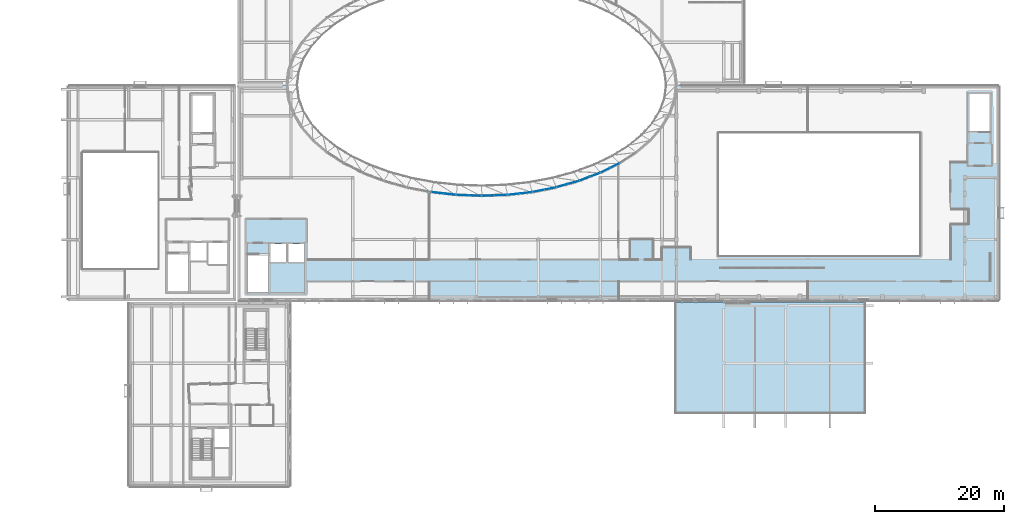
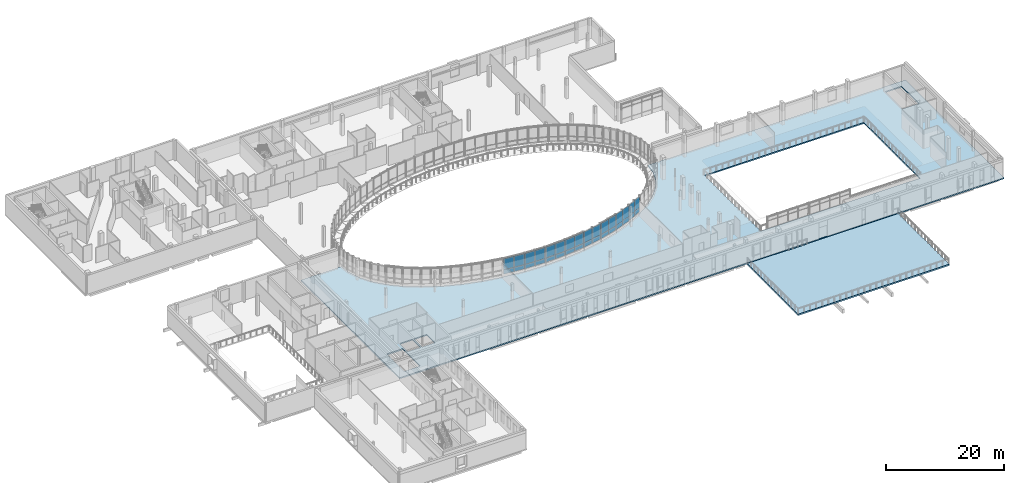
# One storey, part 30 of 73: 32 plates, 2 slabs, 8 elements without a shape of their own.
"""IFC4 building model written with IfcOpenShell, lengths in metres."""

from ifc_helpers import new_model, si_unit, direction, frame, origin, origin_2d, place, context, subcontext, project, spatial, polyline, rectangle, outline, extrude, material, layer, layer_set, type_object, element, aggregate, save


model = new_model("IFC4")

# Units and contexts
model_context = context("Model", 3, precision=1e-05, world=origin(), true_north=direction((0.0, 1.0)))
body_context = subcontext(model_context, "Body", "Model", "MODEL_VIEW")
ifc_project = project(units=[si_unit("LENGTHUNIT", "METRE"), si_unit("AREAUNIT", "SQUARE_METRE"), si_unit("VOLUMEUNIT", "CUBIC_METRE"), si_unit("PLANEANGLEUNIT", "RADIAN"), si_unit("MASSUNIT", "GRAM", prefix="KILO")], contexts=[model_context])

# Site, building, storey
site_placement = place(None, origin())
site = spatial("IfcSite", under=ifc_project, at=site_placement, CompositionType="ELEMENT")
building_placement = place(site_placement, origin())
building = spatial("IfcBuilding", under=site, at=building_placement, Name="Mzevani Central Library", CompositionType="ELEMENT")
storey_placement = place(building_placement, frame((0.0, 0.0, 9.60009765625)))
storey = spatial("IfcBuildingStorey", under=building, at=storey_placement, Name="L02", CompositionType="ELEMENT", Elevation=9.60009765625)

# Curtain wall, plates
ifc_material_1 = material(Name="Thermally broken aluminium and Low-E triple glazing", Category="aluminium")
curtain_wall_type_1 = type_object("IfcCurtainWallType", Name="Elliptical Court Unitised Curtain Wall", PredefinedType="NOTDEFINED", material=ifc_material_1)
curtain_wall_1_placement = place(storey_placement, origin())
curtain_wall_1 = element("IfcCurtainWall", 1, at=curtain_wall_1_placement, inside=storey, type_object=curtain_wall_type_1, Name="L02 Elliptical Court Curtain Wall 35", PredefinedType="NOTDEFINED")
ifc_material_2 = material(Name="Thermally broken aluminium AW-6060", Category="aluminium")
ifc_layer_1 = layer(ifc_material_2, 0.0419921875, Name="CW Insulated Spandrel Panel 42")
ifc_layer_set_1 = layer_set([ifc_layer_1], Name="Thermally broken aluminium AW-6060")
plate_type_1 = type_object("IfcPlateType", Name="CW Insulated Spandrel Panel 42", PredefinedType="CURTAIN_PANEL", material=ifc_layer_set_1)
plate_1_placement = place(storey_placement, frame((77.124755859375, 59.251220703125, 0.719970703125), z_axis=(0.0, 0.0, 1.0), x_axis=(0.993696511115, -0.112103718933, 0.0)))
plate_1 = element("IfcPlate", 2, at=plate_1_placement, type_object=plate_type_1, Name="L02 Elliptical Court Curtain Wall 35 Spandrel Panel 1", PredefinedType="CURTAIN_PANEL", context=body_context, shape_type="SweptSolid", body=[
    extrude(rectangle(XDim=1.9365234375, YDim=0.0419921875, at=origin_2d()), origin(), (0.0, 0.0, 1.0), 0.89990234375),
])
plate_2_placement = place(storey_placement, frame((79.04931640625, 59.0341796875, 0.719970703125), z_axis=(0.0, 0.0, 1.0), x_axis=(0.993696511115, -0.112103718933, 0.0)))
plate_2 = element("IfcPlate", 3, at=plate_2_placement, type_object=plate_type_1, Name="L02 Elliptical Court Curtain Wall 35 Spandrel Panel 3", PredefinedType="CURTAIN_PANEL", context=body_context, shape_type="SweptSolid", body=[
    extrude(rectangle(XDim=1.9365234375, YDim=0.0419921875, at=origin_2d()), origin(), (0.0, 0.0, 1.0), 0.89990234375),
])

curtain_wall_2_placement = place(storey_placement, origin())
curtain_wall_2 = element("IfcCurtainWall", 4, at=curtain_wall_2_placement, inside=storey, type_object=curtain_wall_type_1, Name="L02 Elliptical Court Curtain Wall 36", PredefinedType="NOTDEFINED")
plate_3_placement = place(storey_placement, frame((81.037841796875, 58.87841796875, 0.719970703125), z_axis=(0.0, 0.0, 1.0), x_axis=(0.999309394498, -0.037158230165, 0.0)))
plate_3 = element("IfcPlate", 5, at=plate_3_placement, type_object=plate_type_1, Name="L02 Elliptical Court Curtain Wall 36 Spandrel Panel 1", PredefinedType="CURTAIN_PANEL", context=body_context, shape_type="SweptSolid", body=[
    extrude(rectangle(XDim=1.959228515625, YDim=0.0419921875, at=origin_2d()), origin(), (0.0, 0.0, 1.0), 0.89990234375),
])
plate_4_placement = place(storey_placement, frame((82.995849609375, 58.805419921875, 0.719970703125), z_axis=(0.0, 0.0, 1.0), x_axis=(0.999309394498, -0.037158230165, 0.0)))
plate_4 = element("IfcPlate", 6, at=plate_4_placement, type_object=plate_type_1, Name="L02 Elliptical Court Curtain Wall 36 Spandrel Panel 3", PredefinedType="CURTAIN_PANEL", context=body_context, shape_type="SweptSolid", body=[
    extrude(rectangle(XDim=1.959228515625, YDim=0.0419921875, at=origin_2d()), origin(), (0.0, 0.0, 1.0), 0.89990234375),
])

curtain_wall_type_2 = type_object("IfcCurtainWallType", Name="Reading Hall Northlight Curtain Wall", PredefinedType="NOTDEFINED", material=ifc_material_1)
curtain_wall_3_placement = place(storey_placement, origin())
curtain_wall_3 = element("IfcCurtainWall", 7, at=curtain_wall_3_placement, inside=storey, type_object=curtain_wall_type_2, Name="L02 Elliptical Court Curtain Wall 37", PredefinedType="NOTDEFINED")
plate_5_placement = place(storey_placement, frame((85.004150390625, 58.805419921875, 0.719970703125), z_axis=(0.0, 0.0, 1.0), x_axis=(0.999309394498, 0.037158230165, 0.0)))
plate_5 = element("IfcPlate", 8, at=plate_5_placement, type_object=plate_type_1, Name="L02 Elliptical Court Curtain Wall 37 Spandrel Panel 1", PredefinedType="CURTAIN_PANEL", context=body_context, shape_type="SweptSolid", body=[
    extrude(rectangle(XDim=1.959228515625, YDim=0.0419921875, at=origin_2d()), origin(), (0.0, 0.0, 1.0), 0.89990234375),
])
plate_6_placement = place(storey_placement, frame((86.962158203125, 58.87841796875, 0.719970703125), z_axis=(0.0, 0.0, 1.0), x_axis=(0.999309394498, 0.037158230165, 0.0)))
plate_6 = element("IfcPlate", 9, at=plate_6_placement, type_object=plate_type_1, Name="L02 Elliptical Court Curtain Wall 37 Spandrel Panel 3", PredefinedType="CURTAIN_PANEL", context=body_context, shape_type="SweptSolid", body=[
    extrude(rectangle(XDim=1.959228515625, YDim=0.0419921875, at=origin_2d()), origin(), (0.0, 0.0, 1.0), 0.89990234375),
])

curtain_wall_4_placement = place(storey_placement, origin())
curtain_wall_4 = element("IfcCurtainWall", 10, at=curtain_wall_4_placement, inside=storey, type_object=curtain_wall_type_1, Name="L02 Elliptical Court Curtain Wall 38", PredefinedType="NOTDEFINED")
plate_7_placement = place(storey_placement, frame((88.95068359375, 59.0341796875, 0.719970703125), z_axis=(0.0, 0.0, 1.0), x_axis=(0.993696511115, 0.112103718933, 0.0)))
plate_7 = element("IfcPlate", 11, at=plate_7_placement, type_object=plate_type_1, Name="L02 Elliptical Court Curtain Wall 38 Spandrel Panel 1", PredefinedType="CURTAIN_PANEL", context=body_context, shape_type="SweptSolid", body=[
    extrude(rectangle(XDim=1.9365234375, YDim=0.0419921875, at=origin_2d()), origin(), (0.0, 0.0, 1.0), 0.89990234375),
])
plate_8_placement = place(storey_placement, frame((90.875244140625, 59.251220703125, 0.719970703125), z_axis=(0.0, 0.0, 1.0), x_axis=(0.993696511115, 0.112103718933, 0.0)))
plate_8 = element("IfcPlate", 12, at=plate_8_placement, type_object=plate_type_1, Name="L02 Elliptical Court Curtain Wall 38 Spandrel Panel 3", PredefinedType="CURTAIN_PANEL", context=body_context, shape_type="SweptSolid", body=[
    extrude(rectangle(XDim=1.9365234375, YDim=0.0419921875, at=origin_2d()), origin(), (0.0, 0.0, 1.0), 0.89990234375),
])

curtain_wall_5_placement = place(storey_placement, origin())
curtain_wall_5 = element("IfcCurtainWall", 13, at=curtain_wall_5_placement, inside=storey, type_object=curtain_wall_type_1, Name="L02 Elliptical Court Curtain Wall 39", PredefinedType="NOTDEFINED")
plate_9_placement = place(storey_placement, frame((92.806640625, 59.557373046875, 0.719970703125), z_axis=(0.0, 0.0, 1.0), x_axis=(0.981971911656, 0.189026888879, 0.0)))
plate_9 = element("IfcPlate", 14, at=plate_9_placement, type_object=plate_type_1, Name="L02 Elliptical Court Curtain Wall 39 Spandrel Panel 1", PredefinedType="CURTAIN_PANEL", context=body_context, shape_type="SweptSolid", body=[
    extrude(rectangle(XDim=1.89208984375, YDim=0.0419921875, at=origin_2d()), origin(), (0.0, 0.0, 1.0), 0.89990234375),
])
plate_10_placement = place(storey_placement, frame((94.66455078125, 59.9150390625, 0.719970703125), z_axis=(0.0, 0.0, 1.0), x_axis=(0.981971911656, 0.189026888879, 0.0)))
plate_10 = element("IfcPlate", 15, at=plate_10_placement, type_object=plate_type_1, Name="L02 Elliptical Court Curtain Wall 39 Spandrel Panel 3", PredefinedType="CURTAIN_PANEL", context=body_context, shape_type="SweptSolid", body=[
    extrude(rectangle(XDim=1.89208984375, YDim=0.0419921875, at=origin_2d()), origin(), (0.0, 0.0, 1.0), 0.89990234375),
])

curtain_wall_6_placement = place(storey_placement, origin())
curtain_wall_6 = element("IfcCurtainWall", 16, at=curtain_wall_6_placement, inside=storey, type_object=curtain_wall_type_2, Name="L02 Elliptical Court Curtain Wall 40", PredefinedType="NOTDEFINED")
plate_11_placement = place(storey_placement, frame((96.5048828125, 60.36279296875, 0.719970703125), z_axis=(0.0, 0.0, 1.0), x_axis=(0.9630535978, 0.269309798865, 0.0)))
plate_11 = element("IfcPlate", 17, at=plate_11_placement, type_object=plate_type_1, Name="L02 Elliptical Court Curtain Wall 40 Spandrel Panel 1", PredefinedType="CURTAIN_PANEL", context=body_context, shape_type="SweptSolid", body=[
    extrude(rectangle(XDim=1.827392578125, YDim=0.0419921875, at=origin_2d()), origin(), (0.0, 0.0, 1.0), 0.89990234375),
])
plate_12_placement = place(storey_placement, frame((98.264404296875, 60.854736328125, 0.719970703125), z_axis=(0.0, 0.0, 1.0), x_axis=(0.9630535978, 0.269309798865, 0.0)))
plate_12 = element("IfcPlate", 18, at=plate_12_placement, type_object=plate_type_1, Name="L02 Elliptical Court Curtain Wall 40 Spandrel Panel 3", PredefinedType="CURTAIN_PANEL", context=body_context, shape_type="SweptSolid", body=[
    extrude(rectangle(XDim=1.827392578125, YDim=0.0419921875, at=origin_2d()), origin(), (0.0, 0.0, 1.0), 0.89990234375),
])

curtain_wall_7_placement = place(storey_placement, origin())
curtain_wall_7 = element("IfcCurtainWall", 19, at=curtain_wall_7_placement, inside=storey, type_object=curtain_wall_type_1, Name="L02 Elliptical Court Curtain Wall 41", PredefinedType="NOTDEFINED")
plate_13_placement = place(storey_placement, frame((99.9833984375, 61.43359375, 0.719970703125), z_axis=(0.0, 0.0, 1.0), x_axis=(0.935125934048, 0.354315519659, 0.0)))
plate_13 = element("IfcPlate", 20, at=plate_13_placement, type_object=plate_type_1, Name="L02 Elliptical Court Curtain Wall 41 Spandrel Panel 1", PredefinedType="CURTAIN_PANEL", context=body_context, shape_type="SweptSolid", body=[
    extrude(rectangle(XDim=1.74462890625, YDim=0.0419921875, at=origin_2d()), origin(), (0.0, 0.0, 1.0), 0.89990234375),
])
plate_14_placement = place(storey_placement, frame((101.614990234375, 62.0517578125, 0.719970703125), z_axis=(0.0, 0.0, 1.0), x_axis=(0.935125934048, 0.354315519659, 0.0)))
plate_14 = element("IfcPlate", 21, at=plate_14_placement, type_object=plate_type_1, Name="L02 Elliptical Court Curtain Wall 41 Spandrel Panel 3", PredefinedType="CURTAIN_PANEL", context=body_context, shape_type="SweptSolid", body=[
    extrude(rectangle(XDim=1.74462890625, YDim=0.0419921875, at=origin_2d()), origin(), (0.0, 0.0, 1.0), 0.89990234375),
])

curtain_wall_8_placement = place(storey_placement, origin())
curtain_wall_8 = element("IfcCurtainWall", 22, at=curtain_wall_8_placement, inside=storey, type_object=curtain_wall_type_1, Name="L02 Elliptical Court Curtain Wall 42", PredefinedType="NOTDEFINED")
plate_15_placement = place(storey_placement, frame((103.18505859375, 62.75048828125, 0.719970703125), z_axis=(0.0, 0.0, 1.0), x_axis=(0.89539024804, 0.445282274198, 0.0)))
plate_15 = element("IfcPlate", 23, at=plate_15_placement, type_object=plate_type_1, Name="L02 Elliptical Court Curtain Wall 42 Spandrel Panel 1", PredefinedType="CURTAIN_PANEL", context=body_context, shape_type="SweptSolid", body=[
    extrude(rectangle(XDim=1.6474609375, YDim=0.0419921875, at=origin_2d()), origin(), (0.0, 0.0, 1.0), 0.89990234375),
])
plate_16_placement = place(storey_placement, frame((104.660400390625, 63.484130859375, 0.719970703125), z_axis=(0.0, 0.0, 1.0), x_axis=(0.89539024804, 0.445282274198, 0.0)))
plate_16 = element("IfcPlate", 24, at=plate_16_placement, type_object=plate_type_1, Name="L02 Elliptical Court Curtain Wall 42 Spandrel Panel 3", PredefinedType="CURTAIN_PANEL", context=body_context, shape_type="SweptSolid", body=[
    extrude(rectangle(XDim=1.6474609375, YDim=0.0419921875, at=origin_2d()), origin(), (0.0, 0.0, 1.0), 0.89990234375),
])

# Plate
ifc_material_3 = material(Name="Low-E triple glazing glass", Category="glass")
ifc_layer_2 = layer(ifc_material_3, 0.028076171875, Name="CW Triple Glazed Vision Panel 28")
ifc_layer_set_2 = layer_set([ifc_layer_2], Name="Low-E triple glazing glass")
plate_type_2 = type_object("IfcPlateType", Name="CW Triple Glazed Vision Panel 28", PredefinedType="CURTAIN_PANEL", material=ifc_layer_set_2)
plate_17_placement = place(storey_placement, frame((77.124755859375, 59.251220703125, 1.6201171875), z_axis=(0.0, 0.0, 1.0), x_axis=(0.993696511115, -0.112103718933, 0.0)))
plate_17 = element("IfcPlate", 25, at=plate_17_placement, type_object=plate_type_2, Name="L02 Elliptical Court Curtain Wall 35 Vision Panel 2", PredefinedType="CURTAIN_PANEL", context=body_context, shape_type="SweptSolid", body=[
    extrude(rectangle(XDim=1.9365234375, YDim=0.028076171875, at=origin_2d()), origin(), (0.0, 0.0, 1.0), 2.300048828125),
])

plate_18_placement = place(storey_placement, frame((79.04931640625, 59.0341796875, 1.6201171875), z_axis=(0.0, 0.0, 1.0), x_axis=(0.993696511115, -0.112103718933, 0.0)))
plate_18 = element("IfcPlate", 26, at=plate_18_placement, type_object=plate_type_2, Name="L02 Elliptical Court Curtain Wall 35 Vision Panel 4", PredefinedType="CURTAIN_PANEL", context=body_context, shape_type="SweptSolid", body=[
    extrude(rectangle(XDim=1.9365234375, YDim=0.028076171875, at=origin_2d()), origin(), (0.0, 0.0, 1.0), 2.300048828125),
])

aggregate(curtain_wall_1, [plate_1, plate_17, plate_2, plate_18])

plate_19_placement = place(storey_placement, frame((81.037841796875, 58.87841796875, 1.6201171875), z_axis=(0.0, 0.0, 1.0), x_axis=(0.999309394498, -0.037158230165, 0.0)))
plate_19 = element("IfcPlate", 27, at=plate_19_placement, type_object=plate_type_2, Name="L02 Elliptical Court Curtain Wall 36 Vision Panel 2", PredefinedType="CURTAIN_PANEL", context=body_context, shape_type="SweptSolid", body=[
    extrude(rectangle(XDim=1.959228515625, YDim=0.028076171875, at=origin_2d()), origin(), (0.0, 0.0, 1.0), 2.300048828125),
])

plate_20_placement = place(storey_placement, frame((82.995849609375, 58.805419921875, 1.6201171875), z_axis=(0.0, 0.0, 1.0), x_axis=(0.999309394498, -0.037158230165, 0.0)))
plate_20 = element("IfcPlate", 28, at=plate_20_placement, type_object=plate_type_2, Name="L02 Elliptical Court Curtain Wall 36 Vision Panel 4", PredefinedType="CURTAIN_PANEL", context=body_context, shape_type="SweptSolid", body=[
    extrude(rectangle(XDim=1.959228515625, YDim=0.028076171875, at=origin_2d()), origin(), (0.0, 0.0, 1.0), 2.300048828125),
])

aggregate(curtain_wall_2, [plate_3, plate_19, plate_4, plate_20])

plate_21_placement = place(storey_placement, frame((85.004150390625, 58.805419921875, 1.6201171875), z_axis=(0.0, 0.0, 1.0), x_axis=(0.999309394498, 0.037158230165, 0.0)))
plate_21 = element("IfcPlate", 29, at=plate_21_placement, type_object=plate_type_2, Name="L02 Elliptical Court Curtain Wall 37 Vision Panel 2", PredefinedType="CURTAIN_PANEL", context=body_context, shape_type="SweptSolid", body=[
    extrude(rectangle(XDim=1.959228515625, YDim=0.028076171875, at=origin_2d()), origin(), (0.0, 0.0, 1.0), 2.300048828125),
])

plate_22_placement = place(storey_placement, frame((86.962158203125, 58.87841796875, 1.6201171875), z_axis=(0.0, 0.0, 1.0), x_axis=(0.999309394498, 0.037158230165, 0.0)))
plate_22 = element("IfcPlate", 30, at=plate_22_placement, type_object=plate_type_2, Name="L02 Elliptical Court Curtain Wall 37 Vision Panel 4", PredefinedType="CURTAIN_PANEL", context=body_context, shape_type="SweptSolid", body=[
    extrude(rectangle(XDim=1.959228515625, YDim=0.028076171875, at=origin_2d()), origin(), (0.0, 0.0, 1.0), 2.300048828125),
])

aggregate(curtain_wall_3, [plate_5, plate_21, plate_6, plate_22])

plate_23_placement = place(storey_placement, frame((88.95068359375, 59.0341796875, 1.6201171875), z_axis=(0.0, 0.0, 1.0), x_axis=(0.993696511115, 0.112103718933, 0.0)))
plate_23 = element("IfcPlate", 31, at=plate_23_placement, type_object=plate_type_2, Name="L02 Elliptical Court Curtain Wall 38 Vision Panel 2", PredefinedType="CURTAIN_PANEL", context=body_context, shape_type="SweptSolid", body=[
    extrude(rectangle(XDim=1.9365234375, YDim=0.028076171875, at=origin_2d()), origin(), (0.0, 0.0, 1.0), 2.300048828125),
])

plate_24_placement = place(storey_placement, frame((90.875244140625, 59.251220703125, 1.6201171875), z_axis=(0.0, 0.0, 1.0), x_axis=(0.993696511115, 0.112103718933, 0.0)))
plate_24 = element("IfcPlate", 32, at=plate_24_placement, type_object=plate_type_2, Name="L02 Elliptical Court Curtain Wall 38 Vision Panel 4", PredefinedType="CURTAIN_PANEL", context=body_context, shape_type="SweptSolid", body=[
    extrude(rectangle(XDim=1.9365234375, YDim=0.028076171875, at=origin_2d()), origin(), (0.0, 0.0, 1.0), 2.300048828125),
])

aggregate(curtain_wall_4, [plate_7, plate_23, plate_8, plate_24])

plate_25_placement = place(storey_placement, frame((92.806640625, 59.557373046875, 1.6201171875), z_axis=(0.0, 0.0, 1.0), x_axis=(0.981971911656, 0.189026888879, 0.0)))
plate_25 = element("IfcPlate", 33, at=plate_25_placement, type_object=plate_type_2, Name="L02 Elliptical Court Curtain Wall 39 Vision Panel 2", PredefinedType="CURTAIN_PANEL", context=body_context, shape_type="SweptSolid", body=[
    extrude(rectangle(XDim=1.89208984375, YDim=0.028076171875, at=origin_2d()), origin(), (0.0, 0.0, 1.0), 2.300048828125),
])

plate_26_placement = place(storey_placement, frame((94.66455078125, 59.9150390625, 1.6201171875), z_axis=(0.0, 0.0, 1.0), x_axis=(0.981971911656, 0.189026888879, 0.0)))
plate_26 = element("IfcPlate", 34, at=plate_26_placement, type_object=plate_type_2, Name="L02 Elliptical Court Curtain Wall 39 Vision Panel 4", PredefinedType="CURTAIN_PANEL", context=body_context, shape_type="SweptSolid", body=[
    extrude(rectangle(XDim=1.89208984375, YDim=0.028076171875, at=origin_2d()), origin(), (0.0, 0.0, 1.0), 2.300048828125),
])

aggregate(curtain_wall_5, [plate_9, plate_25, plate_10, plate_26])

plate_27_placement = place(storey_placement, frame((96.5048828125, 60.36279296875, 1.6201171875), z_axis=(0.0, 0.0, 1.0), x_axis=(0.9630535978, 0.269309798865, 0.0)))
plate_27 = element("IfcPlate", 35, at=plate_27_placement, type_object=plate_type_2, Name="L02 Elliptical Court Curtain Wall 40 Vision Panel 2", PredefinedType="CURTAIN_PANEL", context=body_context, shape_type="SweptSolid", body=[
    extrude(rectangle(XDim=1.827392578125, YDim=0.028076171875, at=origin_2d()), origin(), (0.0, 0.0, 1.0), 2.300048828125),
])

plate_28_placement = place(storey_placement, frame((98.264404296875, 60.854736328125, 1.6201171875), z_axis=(0.0, 0.0, 1.0), x_axis=(0.9630535978, 0.269309798865, 0.0)))
plate_28 = element("IfcPlate", 36, at=plate_28_placement, type_object=plate_type_2, Name="L02 Elliptical Court Curtain Wall 40 Vision Panel 4", PredefinedType="CURTAIN_PANEL", context=body_context, shape_type="SweptSolid", body=[
    extrude(rectangle(XDim=1.827392578125, YDim=0.028076171875, at=origin_2d()), origin(), (0.0, 0.0, 1.0), 2.300048828125),
])

aggregate(curtain_wall_6, [plate_11, plate_27, plate_12, plate_28])

plate_29_placement = place(storey_placement, frame((99.9833984375, 61.43359375, 1.6201171875), z_axis=(0.0, 0.0, 1.0), x_axis=(0.935125934048, 0.354315519659, 0.0)))
plate_29 = element("IfcPlate", 37, at=plate_29_placement, type_object=plate_type_2, Name="L02 Elliptical Court Curtain Wall 41 Vision Panel 2", PredefinedType="CURTAIN_PANEL", context=body_context, shape_type="SweptSolid", body=[
    extrude(rectangle(XDim=1.74462890625, YDim=0.028076171875, at=origin_2d()), origin(), (0.0, 0.0, 1.0), 2.300048828125),
])

plate_30_placement = place(storey_placement, frame((101.614990234375, 62.0517578125, 1.6201171875), z_axis=(0.0, 0.0, 1.0), x_axis=(0.935125934048, 0.354315519659, 0.0)))
plate_30 = element("IfcPlate", 38, at=plate_30_placement, type_object=plate_type_2, Name="L02 Elliptical Court Curtain Wall 41 Vision Panel 4", PredefinedType="CURTAIN_PANEL", context=body_context, shape_type="SweptSolid", body=[
    extrude(rectangle(XDim=1.74462890625, YDim=0.028076171875, at=origin_2d()), origin(), (0.0, 0.0, 1.0), 2.300048828125),
])

aggregate(curtain_wall_7, [plate_13, plate_29, plate_14, plate_30])

plate_31_placement = place(storey_placement, frame((103.18505859375, 62.75048828125, 1.6201171875), z_axis=(0.0, 0.0, 1.0), x_axis=(0.89539024804, 0.445282274198, 0.0)))
plate_31 = element("IfcPlate", 39, at=plate_31_placement, type_object=plate_type_2, Name="L02 Elliptical Court Curtain Wall 42 Vision Panel 2", PredefinedType="CURTAIN_PANEL", context=body_context, shape_type="SweptSolid", body=[
    extrude(rectangle(XDim=1.6474609375, YDim=0.028076171875, at=origin_2d()), origin(), (0.0, 0.0, 1.0), 2.300048828125),
])

plate_32_placement = place(storey_placement, frame((104.660400390625, 63.484130859375, 1.6201171875), z_axis=(0.0, 0.0, 1.0), x_axis=(0.89539024804, 0.445282274198, 0.0)))
plate_32 = element("IfcPlate", 40, at=plate_32_placement, type_object=plate_type_2, Name="L02 Elliptical Court Curtain Wall 42 Vision Panel 4", PredefinedType="CURTAIN_PANEL", context=body_context, shape_type="SweptSolid", body=[
    extrude(rectangle(XDim=1.6474609375, YDim=0.028076171875, at=origin_2d()), origin(), (0.0, 0.0, 1.0), 2.300048828125),
])

aggregate(curtain_wall_8, [plate_15, plate_31, plate_16, plate_32])

# Slabs
ifc_material_4 = material(Name="Concrete C35/45", Category="concrete")
ifc_layer_3 = layer(ifc_material_4, 0.300048828125, Name="Planted Roof Garden Slab 300")
ifc_layer_set_3 = layer_set([ifc_layer_3], Name="Concrete C35/45")
slab_type_1 = type_object("IfcSlabType", Name="Planted Roof Garden Slab 300", PredefinedType="FLOOR", material=ifc_layer_set_3)
slab_1_placement = place(storey_placement, frame((0.0, 0.0, -0.300048828125)))
element("IfcSlab", 41, at=slab_1_placement, inside=storey, type_object=slab_type_1, Name="L02 East Pavilion Planted Roof Garden", PredefinedType="FLOOR", context=body_context, shape_type="SweptSolid", body=[
    extrude(outline(polyline([(114.0, 42.300048828125), (121.919921875, 42.300048828125), (122.0, 42.219970703125), (125.60009765625, 42.219970703125), (125.679931640625, 42.300048828125), (143.60009765625, 42.300048828125), (143.60009765625, 25.0), (114.0, 25.0), (114.0, 42.300048828125)])), origin(), (0.0, 0.0, 1.0), 0.300048828125),
])
ifc_layer_4 = layer(ifc_material_4, 0.260009765625, Name="Public Reading Floor Slab 260")
ifc_layer_set_4 = layer_set([ifc_layer_4], Name="Concrete C35/45")
slab_type_2 = type_object("IfcSlabType", Name="Public Reading Floor Slab 260", PredefinedType="FLOOR", material=ifc_layer_set_4)
slab_2_placement = place(storey_placement, frame((0.0, 0.0, -0.260009765625)))
element("IfcSlab", 42, at=slab_2_placement, inside=storey, type_object=slab_type_2, Name="L02 V1 Structural Slab FS-02", PredefinedType="FLOOR", context=body_context, shape_type="SweptSolid", body=[
    extrude(outline(polyline([(164.39990234375, 42.5), (46.10009765625, 42.5), (46.10009765625, 75.89990234375), (54.01171875, 75.89990234375), (54.256591796875, 73.779296875), (55.022216796875, 71.596923828125), (56.28369140625, 69.48974609375), (58.019287109375, 67.493896484375), (60.199462890625, 65.6435546875), (62.786865234375, 63.970458984375), (65.7373046875, 62.503173828125), (69.0, 61.266845703125), (72.51953125, 60.28271484375), (76.2353515625, 59.5673828125), (80.084228515625, 59.13330078125), (84.0, 58.98779296875), (87.915771484375, 59.13330078125), (91.7646484375, 59.5673828125), (95.48046875, 60.28271484375), (99.0, 61.266845703125), (102.2626953125, 62.503173828125), (105.213134765625, 63.970458984375), (107.800537109375, 65.6435546875), (109.980712890625, 67.493896484375), (111.71630859375, 69.48974609375), (112.977783203125, 71.596923828125), (113.743408203125, 73.779296875), (113.98828125, 75.89990234375), (164.39990234375, 75.89990234375), (164.39990234375, 42.5)]), holes=[polyline([(152.0, 68.5), (120.800048828125, 68.5), (120.800048828125, 49.5), (152.0, 49.5), (152.0, 68.5)]), polyline([(47.699951171875, 49.699951171875), (47.699951171875, 43.800048828125), (50.89990234375, 43.800048828125), (50.89990234375, 49.699951171875), (47.699951171875, 49.699951171875)]), polyline([(51.199951171875, 48.5), (53.699951171875, 48.5), (53.699951171875, 51.300048828125), (51.199951171875, 51.300048828125), (51.199951171875, 48.5)]), polyline([(54.0, 48.5), (56.5, 48.5), (56.5, 51.300048828125), (54.0, 51.300048828125), (54.0, 48.5)]), polyline([(162.89990234375, 68.699951171875), (162.89990234375, 74.60009765625), (159.699951171875, 74.60009765625), (159.699951171875, 68.699951171875), (162.89990234375, 68.699951171875)])]), origin(), (0.0, 0.0, 1.0), 0.260009765625),
])

save(model, "model.ifc")
